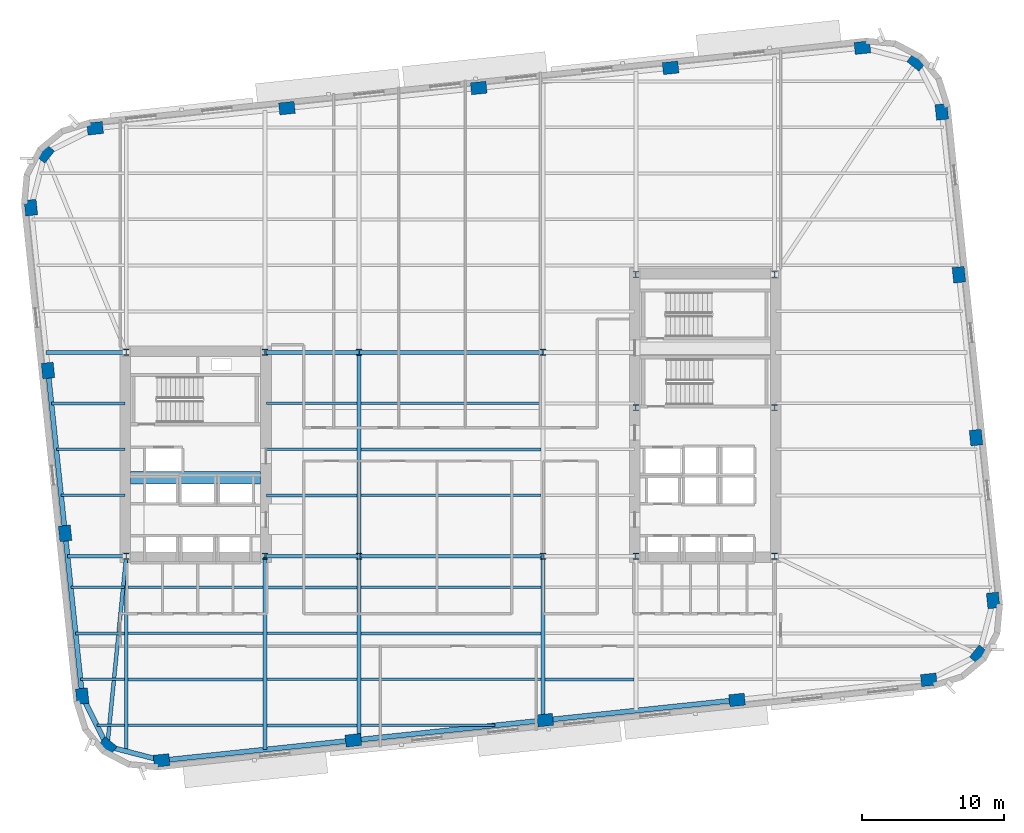
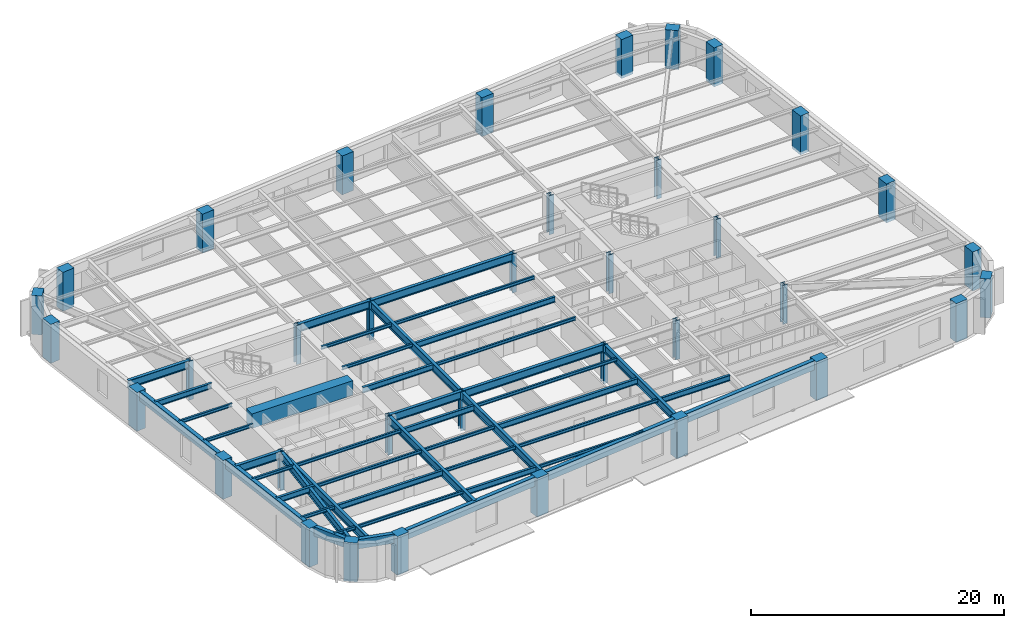
# One storey, part 1 of 15: 46 beams, 36 columns.
"""IFC4 building model written with IfcOpenShell, lengths in metres."""

from ifc_helpers import new_model, si_unit, direction, frame, origin, origin_2d, place, context, subcontext, project, spatial, rectangle, hollow_rectangle, i_section, extrude, material, material_profile, profile_set, type_object, element, save


model = new_model("IFC4")

# Units and contexts
model_context = context("Model", 3, precision=1e-05, world=origin(), true_north=direction((0.0, 1.0)))
body_context = subcontext(model_context, "Body", "Model", "MODEL_VIEW")
ifc_project = project(units=[si_unit("LENGTHUNIT", "METRE"), si_unit("AREAUNIT", "SQUARE_METRE"), si_unit("VOLUMEUNIT", "CUBIC_METRE"), si_unit("PLANEANGLEUNIT", "RADIAN"), si_unit("MASSUNIT", "GRAM", prefix="KILO")], contexts=[model_context])

# Site, building, storey
site_placement = place(None, origin())
site = spatial("IfcSite", under=ifc_project, at=site_placement, CompositionType="ELEMENT")
building_placement = place(site_placement, origin())
building = spatial("IfcBuilding", under=site, at=building_placement, Name="Kolvaren Arena Tower", CompositionType="ELEMENT")
storey_placement = place(building_placement, frame((0.0, 0.0, 118.449951171875)))
storey = spatial("IfcBuildingStorey", under=building, at=storey_placement, Name="L27", CompositionType="ELEMENT", Elevation=118.449951171875)

# Columns
ifc_material_1 = material(Name="Precast concrete C70/85", Category="concrete")
ifc_material_profile_1 = material_profile(ifc_material_1, rectangle(XDim=1.10009765625, YDim=0.85009765625, at=origin_2d()), Name="RC-1100x850")
ifc_profile_set_1 = profile_set([ifc_material_profile_1], Name="Precast concrete C70/85")
column_type_1 = type_object("IfcColumnType", Name="EXCOL-Z2", PredefinedType="COLUMN", material=ifc_profile_set_1)
for number, where, z_axis, x_axis, name in (
    (1, (17.0458984375, 5.024658203125, -0.27001953125), (0.0, 0.0, 1.0), (0.994521895368, 0.104528463268, 0.0), "Exoskeleton Perimeter Column 01 (L27)"),
    (2, (30.59619140625, 6.44873046875, -0.27001953125), (0.0, 0.0, 1.0), (0.994521895368, 0.104528463268, 0.0), "Exoskeleton Perimeter Column 02 (L27)"),
    (3, (44.146728515625, 7.873046875, -0.27001953125), (0.0, 0.0, 1.0), (0.994521895368, 0.104528463268, 0.0), "Exoskeleton Perimeter Column 03 (L27)"),
    (4, (57.697021484375, 9.297119140625, -0.27001953125), (0.0, 0.0, 1.0), (0.994521895368, 0.104528463268, 0.0), "Exoskeleton Perimeter Column 04 (L27)"),
    (5, (71.247314453125, 10.721435546875, -0.27001953125), (0.0, 0.0, 1.0), (0.994521895368, 0.104528463268, 0.0), "Exoskeleton Perimeter Column 05 (L27)"),
    (6, (74.790283203125, 12.49267578125, -0.27001953125), (0.0, 0.0, 1.0), (0.62932039105, 0.777145961457, 0.0), "Exoskeleton Perimeter Column 06 (L27)"),
    (7, (75.786376953125, 16.326416015625, -0.27001953125), (0.0, 0.0, 1.0), (-0.104528463268, 0.994521895368, 0.0), "Exoskeleton Perimeter Column 07 (L27)"),
    (8, (74.577392578125, 27.829833984375, -0.27001953125), (0.0, 0.0, 1.0), (-0.104528463268, 0.994521895368, 0.0), "Exoskeleton Perimeter Column 08 (L27)"),
    (9, (73.368408203125, 39.3330078125, -0.27001953125), (0.0, 0.0, 1.0), (-0.104528463268, 0.994521895368, 0.0), "Exoskeleton Perimeter Column 09 (L27)"),
    (10, (72.1591796875, 50.83642578125, -0.27001953125), (0.0, 0.0, 1.0), (-0.104528463268, 0.994521895368, 0.0), "Exoskeleton Perimeter Column 10 (L27)"),
    (11, (70.387939453125, 54.37939453125, -0.27001953125), (0.0, 0.0, 1.0), (-0.777145961457, 0.62932039105, 0.0), "Exoskeleton Perimeter Column 11 (L27)"),
    (12, (66.55419921875, 55.37548828125, -0.27001953125), (0.0, 0.0, 1.0), (0.994521895368, 0.104528463268, 0.0), "Exoskeleton Perimeter Column 12 (L27)"),
    (13, (53.003662109375, 53.951171875, -0.27001953125), (0.0, 0.0, 1.0), (0.994521895368, 0.104528463268, 0.0), "Exoskeleton Perimeter Column 13 (L27)"),
    (14, (39.453369140625, 52.527099609375, -0.27001953125), (0.0, 0.0, 1.0), (0.994521895368, 0.104528463268, 0.0), "Exoskeleton Perimeter Column 14 (L27)"),
    (15, (25.903076171875, 51.102783203125, -0.27001953125), (0.0, 0.0, 1.0), (0.994521895368, 0.104528463268, 0.0), "Exoskeleton Perimeter Column 15 (L27)"),
    (16, (12.3525390625, 49.6787109375, -0.27001953125), (0.0, 0.0, 1.0), (0.994521895368, 0.104528463268, 0.0), "Exoskeleton Perimeter Column 16 (L27)"),
    (17, (8.8095703125, 47.9072265625, -0.27001953125), (0.0, 0.0, 1.0), (0.62932039105, 0.777145961457, 0.0), "Exoskeleton Perimeter Column 17 (L27)"),
    (18, (7.813720703125, 44.073486328125, -0.27001953125), (0.0, 0.0, 1.0), (-0.104528463268, 0.994521895368, 0.0), "Exoskeleton Perimeter Column 18 (L27)"),
    (19, (9.022705078125, 32.5703125, -0.27001953125), (0.0, 0.0, 1.0), (-0.104528463268, 0.994521895368, 0.0), "Exoskeleton Perimeter Column 19 (L27)"),
    (20, (10.231689453125, 21.06689453125, -0.27001953125), (0.0, 0.0, 1.0), (-0.104528463268, 0.994521895368, 0.0), "Exoskeleton Perimeter Column 20 (L27)"),
    (21, (11.44091796875, 9.5634765625, -0.27001953125), (0.0, 0.0, 1.0), (-0.104528463268, 0.994521895368, 0.0), "Exoskeleton Perimeter Column 21 (L27)"),
    (22, (13.212158203125, 6.0205078125, -0.27001953125), (0.0, 0.0, 1.0), (-0.777145961457, 0.62932039105, 0.0), "Exoskeleton Perimeter Column 22 (L27)"),
):
    element("IfcColumn", number, at=place(storey_placement, frame(where, z_axis=z_axis, x_axis=x_axis)), inside=storey, type_object=column_type_1, Name=name, PredefinedType="COLUMN", context=body_context, shape_type="SweptSolid", body=[
        extrude(rectangle(XDim=1.10009765625, YDim=0.85009765625, at=origin_2d()), origin(), (0.0, 0.0, 1.0), 3.75),
    ])
ifc_material_2 = material(Name="Steel ASTM A913 Grade 65", Category="steel")
ifc_material_profile_2 = material_profile(ifc_material_2, i_section(OverallWidth=0.416015625, OverallDepth=0.446044921875, WebThickness=0.0390625, FlangeThickness=0.062744140625, FilletRadius=0.02001953125, at=origin_2d()), Name="W360x509")
ifc_profile_set_2 = profile_set([ifc_material_profile_2], Name="Steel ASTM A913 Grade 65")
column_type_2 = type_object("IfcColumnType", Name="SCOL-Z2", PredefinedType="COLUMN", material=ifc_profile_set_2)
for number, where, z_axis, x_axis, name in (
    (23, (14.550048828125, 19.449951171875, -0.27001953125), (0.0, 0.0, 1.0), (1.0, 0.0, 0.0), "Core Boundary Column WC-SW (L27)"),
    (24, (24.35009765625, 19.449951171875, -0.27001953125), (0.0, 0.0, 1.0), (1.0, 0.0, 0.0), "Core Boundary Column WC-SE (L27)"),
    (25, (14.550048828125, 33.85009765625, -0.27001953125), (0.0, 0.0, 1.0), (1.0, 0.0, 0.0), "Core Boundary Column WC-NW (L27)"),
    (26, (24.35009765625, 33.85009765625, -0.27001953125), (0.0, 0.0, 1.0), (1.0, 0.0, 0.0), "Core Boundary Column WC-NE (L27)"),
    (27, (50.550048828125, 19.449951171875, -0.27001953125), (0.0, 0.0, 1.0), (1.0, 0.0, 0.0), "Core Boundary Column EC-SW (L27)"),
    (28, (60.35009765625, 19.449951171875, -0.27001953125), (0.0, 0.0, 1.0), (1.0, 0.0, 0.0), "Core Boundary Column EC-SE (L27)"),
    (29, (50.550048828125, 29.949951171875, -0.27001953125), (0.0, 0.0, 1.0), (1.0, 0.0, 0.0), "Core Boundary Column EC-MW (L27)"),
    (30, (60.35009765625, 29.949951171875, -0.27001953125), (0.0, 0.0, 1.0), (1.0, 0.0, 0.0), "Core Boundary Column EC-ME (L27)"),
    (31, (50.550048828125, 39.35009765625, -0.27001953125), (0.0, 0.0, 1.0), (1.0, 0.0, 0.0), "Core Boundary Column EC-NW (L27)"),
    (32, (60.35009765625, 39.35009765625, -0.27001953125), (0.0, 0.0, 1.0), (1.0, 0.0, 0.0), "Core Boundary Column EC-NE (L27)"),
    (33, (31.0, 19.449951171875, -0.27001953125), (0.0, 0.0, 1.0), (1.0, 0.0, 0.0), "Interior Gravity Column TC-SW (L27)"),
    (34, (44.0, 19.449951171875, -0.27001953125), (0.0, 0.0, 1.0), (1.0, 0.0, 0.0), "Interior Gravity Column TC-SE (L27)"),
    (35, (31.0, 33.85009765625, -0.27001953125), (0.0, 0.0, 1.0), (1.0, 0.0, 0.0), "Interior Gravity Column TC-NW (L27)"),
    (36, (44.0, 33.85009765625, -0.27001953125), (0.0, 0.0, 1.0), (1.0, 0.0, 0.0), "Interior Gravity Column TC-NE (L27)"),
):
    element("IfcColumn", number, at=place(storey_placement, frame(where, z_axis=z_axis, x_axis=x_axis)), inside=storey, type_object=column_type_2, Name=name, PredefinedType="COLUMN", context=body_context, shape_type="SweptSolid", body=[
        extrude(i_section(OverallWidth=0.416015625, OverallDepth=0.446044921875, WebThickness=0.0390625, FlangeThickness=0.062744140625, FilletRadius=0.02001953125, at=origin_2d()), origin(), (0.0, 0.0, 1.0), 3.75),
    ])

# Beams
ifc_material_3 = material(Name="Steel CSA G40.21 350W", Category="steel")
ifc_material_profile_3 = material_profile(ifc_material_3, i_section(OverallWidth=0.2119140625, OverallDepth=0.54296875, WebThickness=0.01318359375, FlangeThickness=0.0244140625, FilletRadius=0.013916015625, at=origin_2d()), Name="W530x150")
ifc_profile_set_3 = profile_set([ifc_material_profile_3], Name="Steel CSA G40.21 350W")
beam_type_1 = type_object("IfcBeamType", Name="BEAM-F1", PredefinedType="BEAM", material=ifc_profile_set_3)
beam_1_placement = place(storey_placement, frame((24.485107421875, 7.5, 3.20849609375), z_axis=(1.0, 0.0, 0.0), x_axis=(0.0, 1.0, 0.0)))
element("IfcBeam", 37, at=beam_1_placement, inside=storey, type_object=beam_type_1, Name="Composite Floor Beam (L27)", PredefinedType="BEAM", context=body_context, shape_type="SweptSolid", body=[
    extrude(i_section(OverallWidth=0.2119140625, OverallDepth=0.54296875, WebThickness=0.01318359375, FlangeThickness=0.0244140625, FilletRadius=0.013916015625, at=origin_2d()), origin(), (0.0, 0.0, 1.0), 6.3798828125),
])
beam_2_placement = place(storey_placement, frame((14.68505859375, 10.75, 3.20849609375), z_axis=(1.0, 0.0, 0.0), x_axis=(0.0, 1.0, 0.0)))
element("IfcBeam", 38, at=beam_2_placement, inside=storey, type_object=beam_type_1, Name="Composite Floor Beam (L27)", PredefinedType="BEAM", context=body_context, shape_type="SweptSolid", body=[
    extrude(i_section(OverallWidth=0.2119140625, OverallDepth=0.54296875, WebThickness=0.01318359375, FlangeThickness=0.0244140625, FilletRadius=0.013916015625, at=origin_2d()), origin(), (0.0, 0.0, 1.0), 9.530029296875),
])
beam_3_placement = place(storey_placement, frame((44.135009765625, 10.75, 3.20849609375), z_axis=(1.0, 0.0, 0.0), x_axis=(0.0, 1.0, 0.0)))
element("IfcBeam", 39, at=beam_3_placement, inside=storey, type_object=beam_type_1, Name="Composite Floor Beam (L27)", PredefinedType="BEAM", context=body_context, shape_type="SweptSolid", body=[
    extrude(i_section(OverallWidth=0.2119140625, OverallDepth=0.54296875, WebThickness=0.01318359375, FlangeThickness=0.0244140625, FilletRadius=0.013916015625, at=origin_2d()), origin(), (0.0, 0.0, 1.0), 6.280029296875),
])
beam_4_placement = place(storey_placement, frame((10.974609375, 14.0, 3.20849609375), z_axis=(1.0, 0.0, 0.0), x_axis=(0.0, 1.0, 0.0)))
element("IfcBeam", 40, at=beam_4_placement, inside=storey, type_object=beam_type_1, Name="Composite Floor Beam (L27)", PredefinedType="BEAM", context=body_context, shape_type="SweptSolid", body=[
    extrude(i_section(OverallWidth=0.2119140625, OverallDepth=0.54296875, WebThickness=0.01318359375, FlangeThickness=0.0244140625, FilletRadius=0.013916015625, at=origin_2d()), origin(), (0.0, 0.0, 1.0), 3.4404296875),
])
beam_5_placement = place(storey_placement, frame((31.135009765625, 14.0, 3.20849609375), z_axis=(1.0, 0.0, 0.0), x_axis=(0.0, 1.0, 0.0)))
element("IfcBeam", 41, at=beam_5_placement, inside=storey, type_object=beam_type_1, Name="Composite Floor Beam (L27)", PredefinedType="BEAM", context=body_context, shape_type="SweptSolid", body=[
    extrude(i_section(OverallWidth=0.2119140625, OverallDepth=0.54296875, WebThickness=0.01318359375, FlangeThickness=0.0244140625, FilletRadius=0.013916015625, at=origin_2d()), origin(), (0.0, 0.0, 1.0), 12.72998046875),
])
beam_6_placement = place(storey_placement, frame((24.485107421875, 17.25, 3.20849609375), z_axis=(1.0, 0.0, 0.0), x_axis=(0.0, 1.0, 0.0)))
element("IfcBeam", 42, at=beam_6_placement, inside=storey, type_object=beam_type_1, Name="Composite Floor Beam (L27)", PredefinedType="BEAM", context=body_context, shape_type="SweptSolid", body=[
    extrude(i_section(OverallWidth=0.2119140625, OverallDepth=0.54296875, WebThickness=0.01318359375, FlangeThickness=0.0244140625, FilletRadius=0.013916015625, at=origin_2d()), origin(), (0.0, 0.0, 1.0), 6.3798828125),
])
beam_7_placement = place(storey_placement, frame((24.445068359375, 23.75, 3.20849609375), z_axis=(1.0, 0.0, 0.0), x_axis=(0.0, 1.0, 0.0)))
element("IfcBeam", 43, at=beam_7_placement, inside=storey, type_object=beam_type_1, Name="Composite Floor Beam (L27)", PredefinedType="BEAM", context=body_context, shape_type="SweptSolid", body=[
    extrude(i_section(OverallWidth=0.2119140625, OverallDepth=0.54296875, WebThickness=0.01318359375, FlangeThickness=0.0244140625, FilletRadius=0.013916015625, at=origin_2d()), origin(), (0.0, 0.0, 1.0), 6.419921875),
])
beam_8_placement = place(storey_placement, frame((31.135009765625, 27.0, 3.20849609375), z_axis=(1.0, 0.0, 0.0), x_axis=(0.0, 1.0, 0.0)))
element("IfcBeam", 44, at=beam_8_placement, inside=storey, type_object=beam_type_1, Name="Composite Floor Beam (L27)", PredefinedType="BEAM", context=body_context, shape_type="SweptSolid", body=[
    extrude(i_section(OverallWidth=0.2119140625, OverallDepth=0.54296875, WebThickness=0.01318359375, FlangeThickness=0.0244140625, FilletRadius=0.013916015625, at=origin_2d()), origin(), (0.0, 0.0, 1.0), 12.72998046875),
])
beam_9_placement = place(storey_placement, frame((9.2666015625, 30.25, 3.20849609375), z_axis=(1.0, 0.0, 0.0), x_axis=(0.0, 1.0, 0.0)))
element("IfcBeam", 45, at=beam_9_placement, inside=storey, type_object=beam_type_1, Name="Composite Floor Beam (L27)", PredefinedType="BEAM", context=body_context, shape_type="SweptSolid", body=[
    extrude(i_section(OverallWidth=0.2119140625, OverallDepth=0.54296875, WebThickness=0.01318359375, FlangeThickness=0.0244140625, FilletRadius=0.013916015625, at=origin_2d()), origin(), (0.0, 0.0, 1.0), 5.1884765625),
])
ifc_material_4 = material(Name="Concrete 75 MPa", Category="concrete")
ifc_material_profile_4 = material_profile(ifc_material_4, rectangle(XDim=0.89990234375, YDim=1.39990234375, at=origin_2d()), Name="RC-900x1400")
ifc_profile_set_4 = profile_set([ifc_material_profile_4], Name="Concrete 75 MPa")
beam_type_2 = type_object("IfcBeamType", Name="CB-CORE-1", PredefinedType="BEAM", material=ifc_profile_set_4)
beam_10_placement = place(storey_placement, frame((14.85009765625, 25.0, 3.050048828125), z_axis=(1.0, 0.0, 0.0), x_axis=(0.0, 1.0, 0.0)))
element("IfcBeam", 46, at=beam_10_placement, inside=storey, type_object=beam_type_2, Name="West Core Coupling Beam (L27)", PredefinedType="BEAM", context=body_context, shape_type="SweptSolid", body=[
    extrude(rectangle(XDim=0.89990234375, YDim=1.39990234375, at=origin_2d()), origin(), (0.0, 0.0, 1.0), 9.199951171875),
])
ifc_material_profile_5 = material_profile(ifc_material_3, i_section(OverallWidth=0.27001953125, OverallDepth=0.77294921875, WebThickness=0.019287109375, FlangeThickness=0.033447265625, FilletRadius=0.01806640625, at=origin_2d()), Name="W760x257")
ifc_profile_set_5 = profile_set([ifc_material_profile_5], Name="Steel CSA G40.21 350W")
beam_type_3 = type_object("IfcBeamType", Name="GIRD-T1", PredefinedType="BEAM", material=ifc_profile_set_5)
beam_11_placement = place(storey_placement, frame((13.212158203125, 6.0205078125, 3.093505859375), z_axis=(0.099132957575, 0.995074196592, 0.0), x_axis=(-0.995074196592, 0.099132957575, 0.0)))
element("IfcBeam", 47, at=beam_11_placement, inside=storey, type_object=beam_type_3, Name="Corner Diagonal Tie Girder (L27)", PredefinedType="BEAM", context=body_context, shape_type="SweptSolid", body=[
    extrude(i_section(OverallWidth=0.27001953125, OverallDepth=0.77294921875, WebThickness=0.019287109375, FlangeThickness=0.033447265625, FilletRadius=0.01806640625, at=origin_2d()), origin(), (0.0, 0.0, 1.0), 13.495849609375),
])
beam_12_placement = place(storey_placement, frame((10.401611328125, 19.449951171875, 3.093505859375), z_axis=(1.0, 0.0, 0.0), x_axis=(0.0, 1.0, 0.0)))
element("IfcBeam", 48, at=beam_12_placement, inside=storey, type_object=beam_type_3, Name="Primary Floor Girder (L27)", PredefinedType="BEAM", context=body_context, shape_type="SweptSolid", body=[
    extrude(i_section(OverallWidth=0.27001953125, OverallDepth=0.77294921875, WebThickness=0.019287109375, FlangeThickness=0.033447265625, FilletRadius=0.01806640625, at=origin_2d()), origin(), (0.0, 0.0, 1.0), 4.093505859375),
])
beam_13_placement = place(storey_placement, frame((24.405029296875, 19.449951171875, 3.093505859375), z_axis=(1.0, 0.0, 0.0), x_axis=(0.0, 1.0, 0.0)))
element("IfcBeam", 49, at=beam_13_placement, inside=storey, type_object=beam_type_3, Name="Primary Floor Girder (L27)", PredefinedType="BEAM", context=body_context, shape_type="SweptSolid", body=[
    extrude(i_section(OverallWidth=0.27001953125, OverallDepth=0.77294921875, WebThickness=0.019287109375, FlangeThickness=0.033447265625, FilletRadius=0.01806640625, at=origin_2d()), origin(), (0.0, 0.0, 1.0), 6.594970703125),
])
beam_14_placement = place(storey_placement, frame((31.0, 19.449951171875, 3.093505859375), z_axis=(1.0, 0.0, 0.0), x_axis=(0.0, 1.0, 0.0)))
element("IfcBeam", 50, at=beam_14_placement, inside=storey, type_object=beam_type_3, Name="Primary Floor Girder (L27)", PredefinedType="BEAM", context=body_context, shape_type="SweptSolid", body=[
    extrude(i_section(OverallWidth=0.27001953125, OverallDepth=0.77294921875, WebThickness=0.019287109375, FlangeThickness=0.033447265625, FilletRadius=0.01806640625, at=origin_2d()), origin(), (0.0, 0.0, 1.0), 13.0),
])
beam_15_placement = place(storey_placement, frame((8.88818359375, 33.85009765625, 3.093505859375), z_axis=(1.0, 0.0, 0.0), x_axis=(0.0, 1.0, 0.0)))
element("IfcBeam", 51, at=beam_15_placement, inside=storey, type_object=beam_type_3, Name="Primary Floor Girder (L27)", PredefinedType="BEAM", context=body_context, shape_type="SweptSolid", body=[
    extrude(i_section(OverallWidth=0.27001953125, OverallDepth=0.77294921875, WebThickness=0.019287109375, FlangeThickness=0.033447265625, FilletRadius=0.01806640625, at=origin_2d()), origin(), (0.0, 0.0, 1.0), 5.60693359375),
])
beam_16_placement = place(storey_placement, frame((24.405029296875, 33.85009765625, 3.093505859375), z_axis=(1.0, 0.0, 0.0), x_axis=(0.0, 1.0, 0.0)))
element("IfcBeam", 52, at=beam_16_placement, inside=storey, type_object=beam_type_3, Name="Primary Floor Girder (L27)", PredefinedType="BEAM", context=body_context, shape_type="SweptSolid", body=[
    extrude(i_section(OverallWidth=0.27001953125, OverallDepth=0.77294921875, WebThickness=0.019287109375, FlangeThickness=0.033447265625, FilletRadius=0.01806640625, at=origin_2d()), origin(), (0.0, 0.0, 1.0), 6.594970703125),
])
beam_17_placement = place(storey_placement, frame((31.0, 33.85009765625, 3.093505859375), z_axis=(1.0, 0.0, 0.0), x_axis=(0.0, 1.0, 0.0)))
element("IfcBeam", 53, at=beam_17_placement, inside=storey, type_object=beam_type_3, Name="Primary Floor Girder (L27)", PredefinedType="BEAM", context=body_context, shape_type="SweptSolid", body=[
    extrude(i_section(OverallWidth=0.27001953125, OverallDepth=0.77294921875, WebThickness=0.019287109375, FlangeThickness=0.033447265625, FilletRadius=0.01806640625, at=origin_2d()), origin(), (0.0, 0.0, 1.0), 13.0),
])
beam_18_placement = place(storey_placement, frame((14.550048828125, 5.673095703125, 3.093505859375), z_axis=(0.0, 1.0, 0.0), x_axis=(-1.0, 0.0, 0.0)))
element("IfcBeam", 54, at=beam_18_placement, inside=storey, type_object=beam_type_3, Name="Primary Floor Girder (L27)", PredefinedType="BEAM", context=body_context, shape_type="SweptSolid", body=[
    extrude(i_section(OverallWidth=0.27001953125, OverallDepth=0.77294921875, WebThickness=0.019287109375, FlangeThickness=0.033447265625, FilletRadius=0.01806640625, at=origin_2d()), origin(), (0.0, 0.0, 1.0), 13.721923828125),
])
beam_19_placement = place(storey_placement, frame((24.35009765625, 5.792236328125, 3.093505859375), z_axis=(0.0, 1.0, 0.0), x_axis=(-1.0, 0.0, 0.0)))
element("IfcBeam", 55, at=beam_19_placement, inside=storey, type_object=beam_type_3, Name="Primary Floor Girder (L27)", PredefinedType="BEAM", context=body_context, shape_type="SweptSolid", body=[
    extrude(i_section(OverallWidth=0.27001953125, OverallDepth=0.77294921875, WebThickness=0.019287109375, FlangeThickness=0.033447265625, FilletRadius=0.01806640625, at=origin_2d()), origin(), (0.0, 0.0, 1.0), 13.602783203125),
])
beam_20_placement = place(storey_placement, frame((31.0, 6.4912109375, 3.093505859375), z_axis=(0.0, 1.0, 0.0), x_axis=(-1.0, 0.0, 0.0)))
element("IfcBeam", 56, at=beam_20_placement, inside=storey, type_object=beam_type_3, Name="Primary Floor Girder (L27)", PredefinedType="BEAM", context=body_context, shape_type="SweptSolid", body=[
    extrude(i_section(OverallWidth=0.27001953125, OverallDepth=0.77294921875, WebThickness=0.019287109375, FlangeThickness=0.033447265625, FilletRadius=0.01806640625, at=origin_2d()), origin(), (0.0, 0.0, 1.0), 12.958740234375),
])
beam_21_placement = place(storey_placement, frame((31.0, 19.449951171875, 3.093505859375), z_axis=(0.0, 1.0, 0.0), x_axis=(-1.0, 0.0, 0.0)))
element("IfcBeam", 57, at=beam_21_placement, inside=storey, type_object=beam_type_3, Name="Primary Floor Girder (L27)", PredefinedType="BEAM", context=body_context, shape_type="SweptSolid", body=[
    extrude(i_section(OverallWidth=0.27001953125, OverallDepth=0.77294921875, WebThickness=0.019287109375, FlangeThickness=0.033447265625, FilletRadius=0.01806640625, at=origin_2d()), origin(), (0.0, 0.0, 1.0), 14.400146484375),
])
beam_22_placement = place(storey_placement, frame((44.0, 7.857666015625, 3.093505859375), z_axis=(0.0, 1.0, 0.0), x_axis=(-1.0, 0.0, 0.0)))
element("IfcBeam", 58, at=beam_22_placement, inside=storey, type_object=beam_type_3, Name="Primary Floor Girder (L27)", PredefinedType="BEAM", context=body_context, shape_type="SweptSolid", body=[
    extrude(i_section(OverallWidth=0.27001953125, OverallDepth=0.77294921875, WebThickness=0.019287109375, FlangeThickness=0.033447265625, FilletRadius=0.01806640625, at=origin_2d()), origin(), (0.0, 0.0, 1.0), 11.59228515625),
])
ifc_material_profile_6 = material_profile(ifc_material_3, i_section(OverallWidth=0.1669921875, OverallDepth=0.31689453125, WebThickness=0.007568359375, FlangeThickness=0.01318359375, FilletRadius=0.010009765625, at=origin_2d()), Name="W310x52")
ifc_profile_set_6 = profile_set([ifc_material_profile_6], Name="Steel CSA G40.21 350W")
beam_type_4 = type_object("IfcBeamType", Name="JOIST-02", PredefinedType="JOIST", material=ifc_profile_set_6)
beam_23_placement = place(storey_placement, frame((12.472412109375, 7.5, 3.321533203125), z_axis=(1.0, 0.0, 0.0), x_axis=(0.0, 1.0, 0.0)))
element("IfcBeam", 59, at=beam_23_placement, inside=storey, type_object=beam_type_4, Name="Composite Floor Joist (L27)", PredefinedType="JOIST", context=body_context, shape_type="SweptSolid", body=[
    extrude(i_section(OverallWidth=0.1669921875, OverallDepth=0.31689453125, WebThickness=0.007568359375, FlangeThickness=0.01318359375, FilletRadius=0.010009765625, at=origin_2d()), origin(), (0.0, 0.0, 1.0), 1.942626953125),
])
beam_24_placement = place(storey_placement, frame((14.68505859375, 7.5, 3.321533203125), z_axis=(1.0, 0.0, 0.0), x_axis=(0.0, 1.0, 0.0)))
element("IfcBeam", 60, at=beam_24_placement, inside=storey, type_object=beam_type_4, Name="Composite Floor Joist (L27)", PredefinedType="JOIST", context=body_context, shape_type="SweptSolid", body=[
    extrude(i_section(OverallWidth=0.1669921875, OverallDepth=0.31689453125, WebThickness=0.007568359375, FlangeThickness=0.01318359375, FilletRadius=0.010009765625, at=origin_2d()), origin(), (0.0, 0.0, 1.0), 9.530029296875),
])
beam_25_placement = place(storey_placement, frame((31.135009765625, 7.5, 3.321533203125), z_axis=(1.0, 0.0, 0.0), x_axis=(0.0, 1.0, 0.0)))
element("IfcBeam", 61, at=beam_25_placement, inside=storey, type_object=beam_type_4, Name="Composite Floor Joist (L27)", PredefinedType="JOIST", context=body_context, shape_type="SweptSolid", body=[
    extrude(i_section(OverallWidth=0.1669921875, OverallDepth=0.31689453125, WebThickness=0.007568359375, FlangeThickness=0.01318359375, FilletRadius=0.010009765625, at=origin_2d()), origin(), (0.0, 0.0, 1.0), 9.462890625),
])
beam_26_placement = place(storey_placement, frame((11.316162109375, 10.75, 3.321533203125), z_axis=(1.0, 0.0, 0.0), x_axis=(0.0, 1.0, 0.0)))
element("IfcBeam", 62, at=beam_26_placement, inside=storey, type_object=beam_type_4, Name="Composite Floor Joist (L27)", PredefinedType="JOIST", context=body_context, shape_type="SweptSolid", body=[
    extrude(i_section(OverallWidth=0.1669921875, OverallDepth=0.31689453125, WebThickness=0.007568359375, FlangeThickness=0.01318359375, FilletRadius=0.010009765625, at=origin_2d()), origin(), (0.0, 0.0, 1.0), 3.098876953125),
])
beam_27_placement = place(storey_placement, frame((24.485107421875, 10.75, 3.321533203125), z_axis=(1.0, 0.0, 0.0), x_axis=(0.0, 1.0, 0.0)))
element("IfcBeam", 63, at=beam_27_placement, inside=storey, type_object=beam_type_4, Name="Composite Floor Joist (L27)", PredefinedType="JOIST", context=body_context, shape_type="SweptSolid", body=[
    extrude(i_section(OverallWidth=0.1669921875, OverallDepth=0.31689453125, WebThickness=0.007568359375, FlangeThickness=0.01318359375, FilletRadius=0.010009765625, at=origin_2d()), origin(), (0.0, 0.0, 1.0), 6.3798828125),
])
beam_28_placement = place(storey_placement, frame((31.135009765625, 10.75, 3.321533203125), z_axis=(1.0, 0.0, 0.0), x_axis=(0.0, 1.0, 0.0)))
element("IfcBeam", 64, at=beam_28_placement, inside=storey, type_object=beam_type_4, Name="Composite Floor Joist (L27)", PredefinedType="JOIST", context=body_context, shape_type="SweptSolid", body=[
    extrude(i_section(OverallWidth=0.1669921875, OverallDepth=0.31689453125, WebThickness=0.007568359375, FlangeThickness=0.01318359375, FilletRadius=0.010009765625, at=origin_2d()), origin(), (0.0, 0.0, 1.0), 12.72998046875),
])
beam_29_placement = place(storey_placement, frame((14.68505859375, 14.0, 3.321533203125), z_axis=(1.0, 0.0, 0.0), x_axis=(0.0, 1.0, 0.0)))
element("IfcBeam", 65, at=beam_29_placement, inside=storey, type_object=beam_type_4, Name="Composite Floor Joist (L27)", PredefinedType="JOIST", context=body_context, shape_type="SweptSolid", body=[
    extrude(i_section(OverallWidth=0.1669921875, OverallDepth=0.31689453125, WebThickness=0.007568359375, FlangeThickness=0.01318359375, FilletRadius=0.010009765625, at=origin_2d()), origin(), (0.0, 0.0, 1.0), 9.530029296875),
])
beam_30_placement = place(storey_placement, frame((24.485107421875, 14.0, 3.321533203125), z_axis=(1.0, 0.0, 0.0), x_axis=(0.0, 1.0, 0.0)))
element("IfcBeam", 66, at=beam_30_placement, inside=storey, type_object=beam_type_4, Name="Composite Floor Joist (L27)", PredefinedType="JOIST", context=body_context, shape_type="SweptSolid", body=[
    extrude(i_section(OverallWidth=0.1669921875, OverallDepth=0.31689453125, WebThickness=0.007568359375, FlangeThickness=0.01318359375, FilletRadius=0.010009765625, at=origin_2d()), origin(), (0.0, 0.0, 1.0), 6.3798828125),
])
beam_31_placement = place(storey_placement, frame((10.6328125, 17.25, 3.321533203125), z_axis=(1.0, 0.0, 0.0), x_axis=(0.0, 1.0, 0.0)))
element("IfcBeam", 67, at=beam_31_placement, inside=storey, type_object=beam_type_4, Name="Composite Floor Joist (L27)", PredefinedType="JOIST", context=body_context, shape_type="SweptSolid", body=[
    extrude(i_section(OverallWidth=0.1669921875, OverallDepth=0.31689453125, WebThickness=0.007568359375, FlangeThickness=0.01318359375, FilletRadius=0.010009765625, at=origin_2d()), origin(), (0.0, 0.0, 1.0), 3.7822265625),
])
beam_32_placement = place(storey_placement, frame((14.68505859375, 17.25, 3.321533203125), z_axis=(1.0, 0.0, 0.0), x_axis=(0.0, 1.0, 0.0)))
element("IfcBeam", 68, at=beam_32_placement, inside=storey, type_object=beam_type_4, Name="Composite Floor Joist (L27)", PredefinedType="JOIST", context=body_context, shape_type="SweptSolid", body=[
    extrude(i_section(OverallWidth=0.1669921875, OverallDepth=0.31689453125, WebThickness=0.007568359375, FlangeThickness=0.01318359375, FilletRadius=0.010009765625, at=origin_2d()), origin(), (0.0, 0.0, 1.0), 9.530029296875),
])
beam_33_placement = place(storey_placement, frame((31.135009765625, 17.25, 3.321533203125), z_axis=(1.0, 0.0, 0.0), x_axis=(0.0, 1.0, 0.0)))
element("IfcBeam", 69, at=beam_33_placement, inside=storey, type_object=beam_type_4, Name="Composite Floor Joist (L27)", PredefinedType="JOIST", context=body_context, shape_type="SweptSolid", body=[
    extrude(i_section(OverallWidth=0.1669921875, OverallDepth=0.31689453125, WebThickness=0.007568359375, FlangeThickness=0.01318359375, FilletRadius=0.010009765625, at=origin_2d()), origin(), (0.0, 0.0, 1.0), 12.72998046875),
])
beam_34_placement = place(storey_placement, frame((9.94970703125, 23.75, 3.321533203125), z_axis=(1.0, 0.0, 0.0), x_axis=(0.0, 1.0, 0.0)))
element("IfcBeam", 70, at=beam_34_placement, inside=storey, type_object=beam_type_4, Name="Composite Floor Joist (L27)", PredefinedType="JOIST", context=body_context, shape_type="SweptSolid", body=[
    extrude(i_section(OverallWidth=0.1669921875, OverallDepth=0.31689453125, WebThickness=0.007568359375, FlangeThickness=0.01318359375, FilletRadius=0.010009765625, at=origin_2d()), origin(), (0.0, 0.0, 1.0), 4.50537109375),
])
beam_35_placement = place(storey_placement, frame((31.135009765625, 23.75, 3.321533203125), z_axis=(1.0, 0.0, 0.0), x_axis=(0.0, 1.0, 0.0)))
element("IfcBeam", 71, at=beam_35_placement, inside=storey, type_object=beam_type_4, Name="Composite Floor Joist (L27)", PredefinedType="JOIST", context=body_context, shape_type="SweptSolid", body=[
    extrude(i_section(OverallWidth=0.1669921875, OverallDepth=0.31689453125, WebThickness=0.007568359375, FlangeThickness=0.01318359375, FilletRadius=0.010009765625, at=origin_2d()), origin(), (0.0, 0.0, 1.0), 12.72998046875),
])
beam_36_placement = place(storey_placement, frame((9.608154296875, 27.0, 3.321533203125), z_axis=(1.0, 0.0, 0.0), x_axis=(0.0, 1.0, 0.0)))
element("IfcBeam", 72, at=beam_36_placement, inside=storey, type_object=beam_type_4, Name="Composite Floor Joist (L27)", PredefinedType="JOIST", context=body_context, shape_type="SweptSolid", body=[
    extrude(i_section(OverallWidth=0.1669921875, OverallDepth=0.31689453125, WebThickness=0.007568359375, FlangeThickness=0.01318359375, FilletRadius=0.010009765625, at=origin_2d()), origin(), (0.0, 0.0, 1.0), 4.846923828125),
])
for number, where, z_axis, x_axis, name in (
    (73, (24.445068359375, 27.0, 3.321533203125), (1.0, 0.0, 0.0), (0.0, 1.0, 0.0), "Composite Floor Joist (L27)"),
    (74, (24.445068359375, 30.25, 3.321533203125), (1.0, 0.0, 0.0), (0.0, 1.0, 0.0), "Composite Floor Joist (L27)"),
):
    element("IfcBeam", number, at=place(storey_placement, frame(where, z_axis=z_axis, x_axis=x_axis)), inside=storey, type_object=beam_type_4, Name=name, PredefinedType="JOIST", context=body_context, shape_type="SweptSolid", body=[
        extrude(i_section(OverallWidth=0.1669921875, OverallDepth=0.31689453125, WebThickness=0.007568359375, FlangeThickness=0.01318359375, FilletRadius=0.010009765625, at=origin_2d()), origin(), (0.0, 0.0, 1.0), 6.419921875),
    ])
beam_37_placement = place(storey_placement, frame((31.135009765625, 30.25, 3.321533203125), z_axis=(1.0, 0.0, 0.0), x_axis=(0.0, 1.0, 0.0)))
element("IfcBeam", 75, at=beam_37_placement, inside=storey, type_object=beam_type_4, Name="Composite Floor Joist (L27)", PredefinedType="JOIST", context=body_context, shape_type="SweptSolid", body=[
    extrude(i_section(OverallWidth=0.1669921875, OverallDepth=0.31689453125, WebThickness=0.007568359375, FlangeThickness=0.01318359375, FilletRadius=0.010009765625, at=origin_2d()), origin(), (0.0, 0.0, 1.0), 12.72998046875),
])
ifc_material_5 = material(Name="Steel CSA G40.21 350WT", Category="steel")
ifc_material_profile_7 = material_profile(ifc_material_5, hollow_rectangle(XDim=0.35009765625, YDim=0.89990234375, WallThickness=0.02001953125, at=origin_2d()), Name="HSS 900x350x20")
ifc_profile_set_7 = profile_set([ifc_material_profile_7], Name="Steel CSA G40.21 350WT")
beam_type_5 = type_object("IfcBeamType", Name="SPAND-01", PredefinedType="SPANDREL", material=ifc_profile_set_7)
beam_38_placement = place(storey_placement, frame((17.0458984375, 5.024658203125, 3.030029296875), z_axis=(0.994522817887, 0.104519685718, 0.0), x_axis=(-0.104519685718, 0.994522817887, 0.0)))
element("IfcBeam", 76, at=beam_38_placement, inside=storey, type_object=beam_type_5, Name="Perimeter Spandrel Beam (L27)", PredefinedType="SPANDREL", context=body_context, shape_type="SweptSolid", body=[
    extrude(hollow_rectangle(XDim=0.35009765625, YDim=0.89990234375, WallThickness=0.02001953125, at=origin_2d()), origin(), (0.0, 0.0, 1.0), 13.625),
])
beam_39_placement = place(storey_placement, frame((30.59619140625, 6.44873046875, 3.030029296875), z_axis=(0.994521150946, 0.104535545729, 0.0), x_axis=(-0.104535545729, 0.994521150946, 0.0)))
element("IfcBeam", 77, at=beam_39_placement, inside=storey, type_object=beam_type_5, Name="Perimeter Spandrel Beam (L27)", PredefinedType="SPANDREL", context=body_context, shape_type="SweptSolid", body=[
    extrude(hollow_rectangle(XDim=0.35009765625, YDim=0.89990234375, WallThickness=0.02001953125, at=origin_2d()), origin(), (0.0, 0.0, 1.0), 13.625244140625),
])
beam_40_placement = place(storey_placement, frame((44.146728515625, 7.873046875, 3.030029296875), z_axis=(0.994522817887, 0.104519685718, 0.0), x_axis=(-0.104519685718, 0.994522817887, 0.0)))
element("IfcBeam", 78, at=beam_40_placement, inside=storey, type_object=beam_type_5, Name="Perimeter Spandrel Beam (L27)", PredefinedType="SPANDREL", context=body_context, shape_type="SweptSolid", body=[
    extrude(hollow_rectangle(XDim=0.35009765625, YDim=0.89990234375, WallThickness=0.02001953125, at=origin_2d()), origin(), (0.0, 0.0, 1.0), 13.625),
])
for number, where, z_axis, x_axis, name in (
    (79, (9.022705078125, 32.5703125, 3.030029296875), (0.104522171998, -0.994522556587, 0.0), (0.994522556587, 0.104522171998, 0.0), "Perimeter Spandrel Beam (L27)"),
    (80, (10.231689453125, 21.06689453125, 3.030029296875), (0.104543048399, -0.994520362301, 0.0), (0.994520362301, 0.104543048399, 0.0), "Perimeter Spandrel Beam (L27)"),
):
    element("IfcBeam", number, at=place(storey_placement, frame(where, z_axis=z_axis, x_axis=x_axis)), inside=storey, type_object=beam_type_5, Name=name, PredefinedType="SPANDREL", context=body_context, shape_type="SweptSolid", body=[
        extrude(hollow_rectangle(XDim=0.35009765625, YDim=0.89990234375, WallThickness=0.02001953125, at=origin_2d()), origin(), (0.0, 0.0, 1.0), 11.56689453125),
    ])
for number, where, z_axis, x_axis, name in (
    (81, (11.44091796875, 9.5634765625, 3.030029296875), (0.44716428656, -0.894451843771, 0.0), (0.894451843771, 0.44716428656, 0.0), "Perimeter Spandrel Beam (L27)"),
    (82, (13.212158203125, 6.0205078125, 3.030029296875), (0.96787922294, -0.25141561169, 0.0), (0.25141561169, 0.96787922294, 0.0), "Perimeter Spandrel Beam (L27)"),
):
    element("IfcBeam", number, at=place(storey_placement, frame(where, z_axis=z_axis, x_axis=x_axis)), inside=storey, type_object=beam_type_5, Name=name, PredefinedType="SPANDREL", context=body_context, shape_type="SweptSolid", body=[
        extrude(hollow_rectangle(XDim=0.35009765625, YDim=0.89990234375, WallThickness=0.02001953125, at=origin_2d()), origin(), (0.0, 0.0, 1.0), 3.9609375),
    ])

save(model, "model.ifc")
